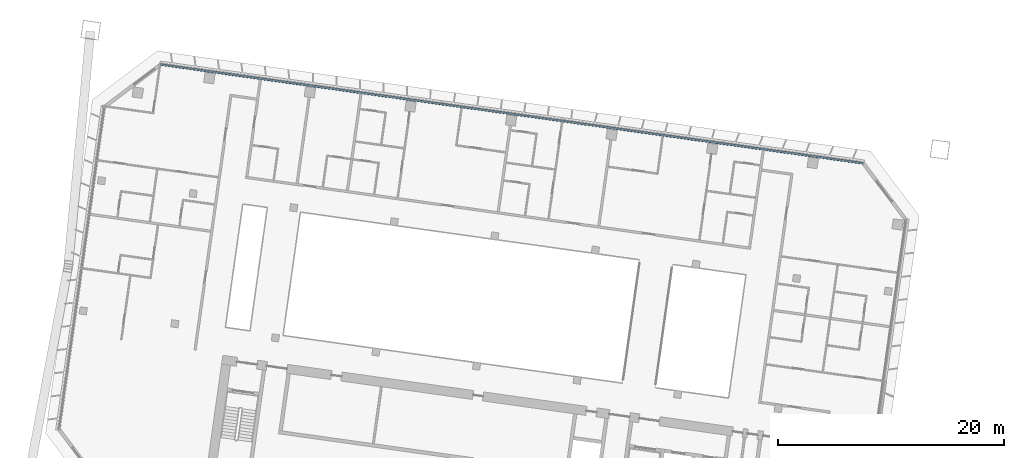
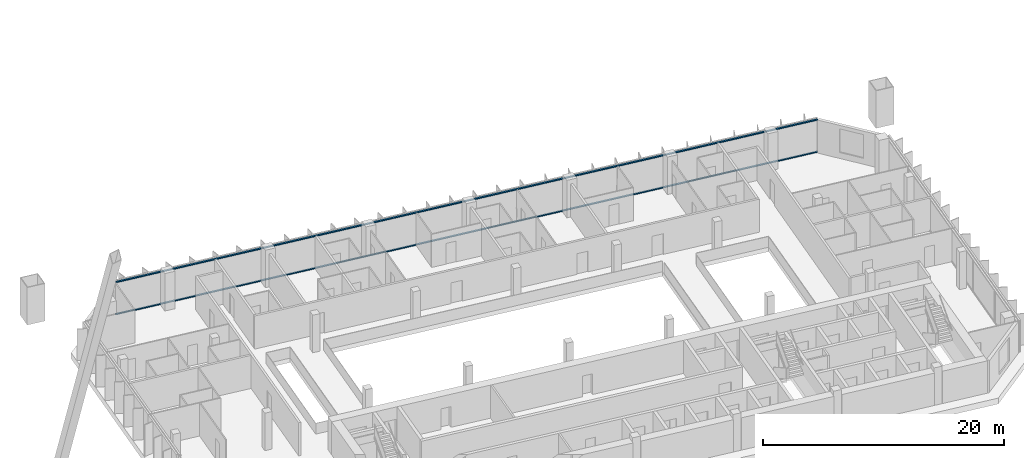
# One storey, part 7 of 33: 2 members, 1 element without a shape of its own.
"""IFC4 building model written with IfcOpenShell, lengths in metres."""

from ifc_helpers import new_model, si_unit, direction, frame, origin, origin_2d, place, context, subcontext, project, spatial, rectangle, extrude, material, material_profile, profile_set, type_object, element, aggregate, save


model = new_model("IFC4")

# Units and contexts
model_context = context("Model", 3, precision=1e-05, world=origin(), true_north=direction((0.0, 1.0)))
body_context = subcontext(model_context, "Body", "Model", "MODEL_VIEW")
ifc_project = project(units=[si_unit("LENGTHUNIT", "METRE"), si_unit("AREAUNIT", "SQUARE_METRE"), si_unit("VOLUMEUNIT", "CUBIC_METRE"), si_unit("PLANEANGLEUNIT", "RADIAN"), si_unit("MASSUNIT", "GRAM", prefix="KILO")], contexts=[model_context])

# Site, building, storey
site_placement = place(None, origin())
site = spatial("IfcSite", under=ifc_project, at=site_placement, CompositionType="ELEMENT")
building_placement = place(site_placement, origin())
building = spatial("IfcBuilding", under=site, at=building_placement, Name="Mirante Cascada Hotel Towers", CompositionType="ELEMENT")
storey_placement = place(building_placement, frame((0.0, 0.0, 121.5)))
storey = spatial("IfcBuildingStorey", under=building, at=storey_placement, Name="L27", CompositionType="ELEMENT", Elevation=121.5)

# Curtain wall, members
ifc_material_1 = material(Name="Aluminium mullion and transom frame with clear laminated glass", Category="aluminium")
curtain_wall_type = type_object("IfcCurtainWallType", Name="Ribbon curtain wall ECW1", PredefinedType="NOTDEFINED", material=ifc_material_1)
curtain_wall_placement = place(storey_placement, origin())
curtain_wall = element("IfcCurtainWall", 1, at=curtain_wall_placement, inside=storey, type_object=curtain_wall_type, Name="Front ribbon wall T1 L27", PredefinedType="NOTDEFINED")
ifc_material_2 = material(Name="Anodised aluminium extrusion", Category="aluminium")
ifc_material_profile = material_profile(ifc_material_2, rectangle(XDim=0.16, YDim=0.1, at=origin_2d()), Name="ECW1 TRANSOM 100x160")
ifc_profile_set = profile_set([ifc_material_profile], Name="Anodised aluminium extrusion")
member_type = type_object("IfcMemberType", Name="ECW1 transom 100x160", PredefinedType="USERDEFINED", material=ifc_profile_set)
member_1_placement = place(storey_placement, frame((-94.1582, 26.0521, 0.05), z_axis=(0.9902681, -0.1391728, 0.0), x_axis=(0.1391728, 0.9902681, 0.0)))
member_1 = element("IfcMember", 2, at=member_1_placement, type_object=member_type, Name="ECW1 sill transom", ObjectType="TRANSOM", PredefinedType="USERDEFINED", context=body_context, shape_type="SweptSolid", body=[
    extrude(rectangle(XDim=0.16, YDim=0.1, at=origin_2d()), origin(), (0.0, 0.0, 1.0), 62.8758),
])
member_2_placement = place(storey_placement, frame((-94.1582, 26.0521, 3.3), z_axis=(0.9902681, -0.1391728, 0.0), x_axis=(0.1391728, 0.9902681, 0.0)))
member_2 = element("IfcMember", 3, at=member_2_placement, type_object=member_type, Name="ECW1 head transom", ObjectType="TRANSOM", PredefinedType="USERDEFINED", context=body_context, shape_type="SweptSolid", body=[
    extrude(rectangle(XDim=0.16, YDim=0.1, at=origin_2d()), origin(), (0.0, 0.0, 1.0), 62.8758),
])
aggregate(curtain_wall, [member_1, member_2])

save(model, "model.ifc")
